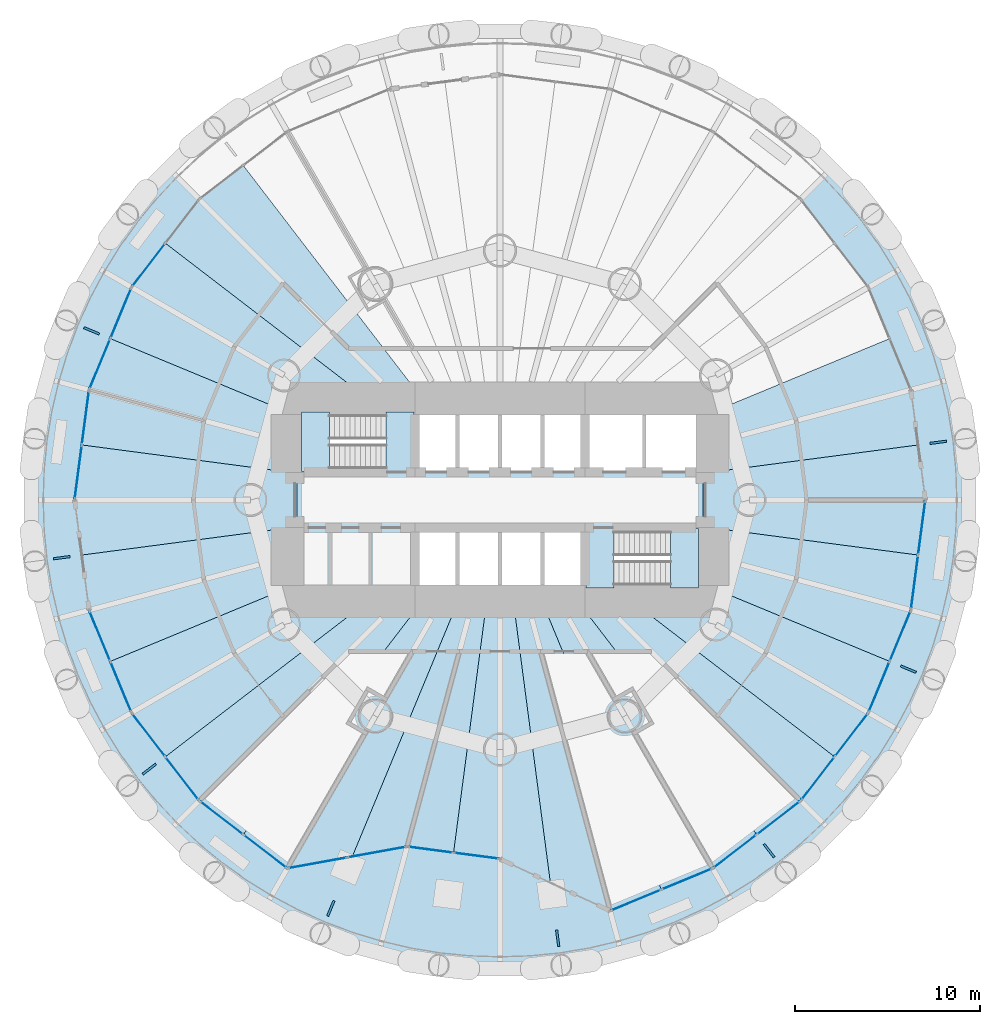
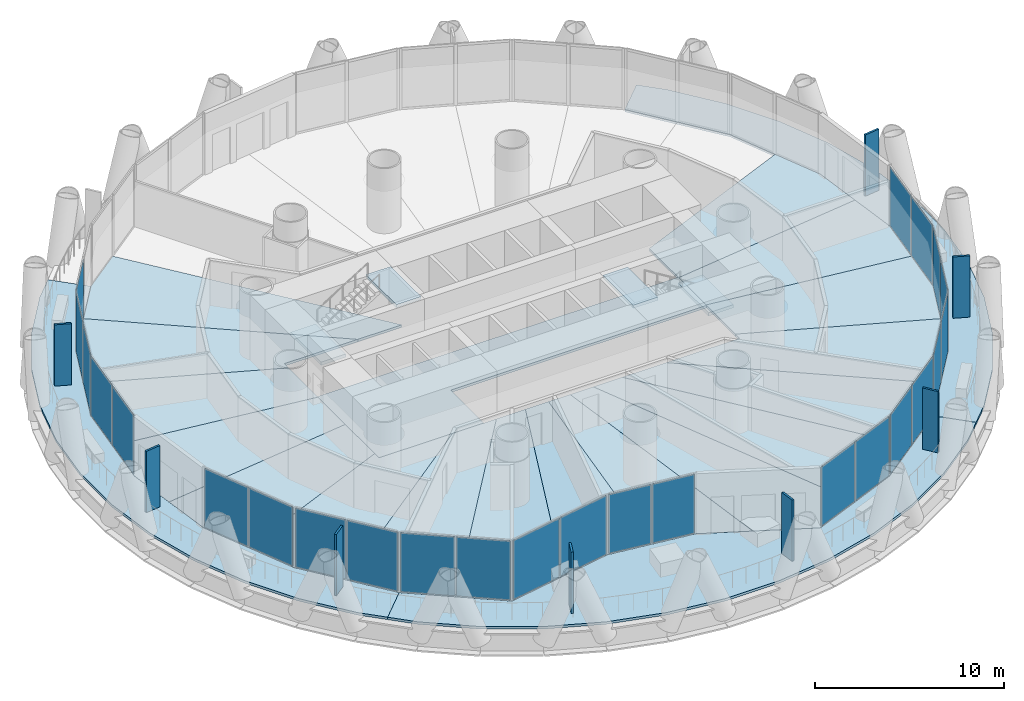
# One storey, part 8 of 15: 33 plates, 25 slabs, 15 elements without a shape of their own.
"""IFC4 building model written with IfcOpenShell, lengths in metres."""

from ifc_helpers import new_model, si_unit, direction, frame, origin, origin_2d, place, context, subcontext, project, spatial, polyline, rectangle, outline, extrude, material, layer, layer_set, type_object, element, aggregate, save


model = new_model("IFC4")

# Units and contexts
model_context = context("Model", 3, precision=1e-05, world=origin(), true_north=direction((0.0, 1.0)))
body_context = subcontext(model_context, "Body", "Model", "MODEL_VIEW")
ifc_project = project(units=[si_unit("LENGTHUNIT", "METRE"), si_unit("AREAUNIT", "SQUARE_METRE"), si_unit("VOLUMEUNIT", "CUBIC_METRE"), si_unit("PLANEANGLEUNIT", "RADIAN"), si_unit("MASSUNIT", "GRAM", prefix="KILO")], contexts=[model_context])

# Site, building, storey
site_placement = place(None, origin())
site = spatial("IfcSite", under=ifc_project, at=site_placement, CompositionType="ELEMENT")
building_placement = place(site_placement, origin())
building = spatial("IfcBuilding", under=site, at=building_placement, Name="Qaws Media Tower", CompositionType="ELEMENT")
storey_placement = place(building_placement, frame((0.0, 0.0, 97.39990234375)))
storey = spatial("IfcBuildingStorey", under=building, at=storey_placement, Name="L21", CompositionType="ELEMENT", Elevation=97.39990234375)

# Slabs
ifc_material_1 = material(Name="Concrete C35/45", Category="concrete")
ifc_layer_1 = layer(ifc_material_1, 0.159912109375)
ifc_layer_set_1 = layer_set([ifc_layer_1], Name="Composite balcony slab 160")
slab_type_1 = type_object("IfcSlabType", Name="Composite balcony slab 160", PredefinedType="FLOOR", material=ifc_layer_set_1)
slab_1_placement = place(storey_placement, frame((0.0, 0.0, -0.159912109375)))
element("IfcSlab", 1, at=slab_1_placement, inside=storey, type_object=slab_type_1, Name="S2 balcony slab L21 R10 to R16, movement joints on R10 and R16", PredefinedType="FLOOR", context=body_context, shape_type="SweptSolid", body=[
    extrude(outline(polyline([(40.884521484375, 33.236083984375), (38.85986328125, 35.87451171875), (37.197021484375, 38.7548828125), (35.92431640625, 41.827392578125), (35.0634765625, 45.039794921875), (34.62939453125, 48.337158203125), (34.62939453125, 51.662841796875), (35.0634765625, 54.960205078125), (35.92431640625, 58.172607421875), (37.197021484375, 61.2451171875), (38.85986328125, 64.12548828125), (40.884521484375, 66.763916015625), (42.060302734375, 67.939697265625), (43.718994140625, 66.281005859375), (40.059814453125, 61.512451171875), (37.759521484375, 55.959228515625), (36.97509765625, 50.0), (37.759521484375, 44.040771484375), (40.059814453125, 38.487548828125), (43.718994140625, 33.718994140625), (42.060302734375, 32.060302734375), (40.884521484375, 33.236083984375)])), origin(), (0.0, 0.0, 1.0), 0.159912109375),
])
slab_2_placement = place(storey_placement, frame((0.0, 0.0, -0.159912109375)))
element("IfcSlab", 2, at=slab_2_placement, inside=storey, type_object=slab_type_1, Name="S2 balcony slab L21 R16 to R22, movement joints on R16 and R22", PredefinedType="FLOOR", context=body_context, shape_type="SweptSolid", body=[
    extrude(outline(polyline([(76.763916015625, 30.884521484375), (74.12548828125, 28.85986328125), (71.2451171875, 27.197021484375), (68.172607421875, 25.92431640625), (64.960205078125, 25.0634765625), (61.662841796875, 24.62939453125), (58.337158203125, 24.62939453125), (55.039794921875, 25.0634765625), (51.827392578125, 25.92431640625), (48.7548828125, 27.197021484375), (45.87451171875, 28.85986328125), (43.236083984375, 30.884521484375), (42.060302734375, 32.060302734375), (43.718994140625, 33.718994140625), (48.487548828125, 30.059814453125), (54.972412109375, 31.23681640625), (60.0, 30.574951171875), (65.959228515625, 27.759521484375), (71.512451171875, 30.059814453125), (76.281005859375, 33.718994140625), (77.939697265625, 32.060302734375), (76.763916015625, 30.884521484375)])), origin(), (0.0, 0.0, 1.0), 0.159912109375),
])
slab_3_placement = place(storey_placement, frame((0.0, 0.0, -0.159912109375)))
element("IfcSlab", 3, at=slab_3_placement, inside=storey, type_object=slab_type_1, Name="S2 balcony slab L21 R22 to R04, movement joints on R22 and R04", PredefinedType="FLOOR", context=body_context, shape_type="SweptSolid", body=[
    extrude(outline(polyline([(84.9365234375, 45.039794921875), (84.07568359375, 41.827392578125), (82.802978515625, 38.7548828125), (81.14013671875, 35.87451171875), (79.115478515625, 33.236083984375), (77.939697265625, 32.060302734375), (76.281005859375, 33.718994140625), (79.940185546875, 38.487548828125), (82.240478515625, 44.040771484375), (83.02490234375, 50.0), (82.240478515625, 55.959228515625), (79.940185546875, 61.512451171875), (76.281005859375, 66.281005859375), (77.939697265625, 67.939697265625), (79.115478515625, 66.763916015625), (81.14013671875, 64.12548828125), (82.802978515625, 61.2451171875), (84.07568359375, 58.172607421875), (84.9365234375, 54.960205078125), (85.37060546875, 51.662841796875), (85.37060546875, 48.337158203125), (84.9365234375, 45.039794921875)])), origin(), (0.0, 0.0, 1.0), 0.159912109375),
])
ifc_material_2 = material(Name="Concrete C35/45", Category="concrete")
ifc_layer_2 = layer(ifc_material_2, 0.159912109375)
ifc_layer_set_2 = layer_set([ifc_layer_2], Name="Composite floor slab 160")
slab_type_2 = type_object("IfcSlabType", Name="Composite floor slab 160", PredefinedType="FLOOR", material=ifc_layer_set_2)
slab_4_placement = place(storey_placement, frame((0.0, 0.0, -0.159912109375)))
element("IfcSlab", 4, at=slab_4_placement, inside=storey, type_object=slab_type_2, Name="S1 core floor slab L21", PredefinedType="FLOOR", context=body_context, shape_type="SweptSolid", body=[
    extrude(outline(polyline([(71.0, 51.5), (71.0, 48.5), (55.39990234375, 48.5), (55.39990234375, 45.0), (49.0, 45.0), (49.0, 51.5), (71.0, 51.5)])), origin(), (0.0, 0.0, 1.0), 0.159912109375),
])
slab_5_placement = place(storey_placement, frame((0.0, 0.0, -0.159912109375)))
element("IfcSlab", 5, at=slab_5_placement, inside=storey, type_object=slab_type_2, Name="S1 floor panel L21 on R01", PredefinedType="FLOOR", context=body_context, shape_type="SweptSolid", body=[
    extrude(outline(polyline([(83.02490234375, 50.0), (82.6328125, 47.020263671875), (71.0, 48.5517578125), (71.0, 51.4482421875), (82.6328125, 52.979736328125), (83.02490234375, 50.0)])), origin(), (0.0, 0.0, 1.0), 0.159912109375),
])
slab_6_placement = place(storey_placement, frame((0.0, 0.0, -0.159912109375)))
element("IfcSlab", 6, at=slab_6_placement, inside=storey, type_object=slab_type_2, Name="S1 floor panel L21 on R02", PredefinedType="FLOOR", context=body_context, shape_type="SweptSolid", body=[
    extrude(outline(polyline([(82.240478515625, 55.959228515625), (82.6328125, 52.979736328125), (71.0, 51.4482421875), (71.0, 54.556396484375), (81.09033203125, 58.73583984375), (82.240478515625, 55.959228515625)])), origin(), (0.0, 0.0, 1.0), 0.159912109375),
])
slab_7_placement = place(storey_placement, frame((0.0, 0.0, -0.159912109375)))
element("IfcSlab", 7, at=slab_7_placement, inside=storey, type_object=slab_type_2, Name="S1 floor panel L21 on R10", PredefinedType="FLOOR", context=body_context, shape_type="SweptSolid", body=[
    extrude(outline(polyline([(43.718994140625, 66.281005859375), (46.103271484375, 68.110595703125), (56.163330078125, 55.0), (53.48388671875, 55.0), (41.889404296875, 63.896728515625), (43.718994140625, 66.281005859375)])), origin(), (0.0, 0.0, 1.0), 0.159912109375),
])
slab_8_placement = place(storey_placement, frame((0.0, 0.0, -0.159912109375)))
element("IfcSlab", 8, at=slab_8_placement, inside=storey, type_object=slab_type_2, Name="S1 floor panel L21 on R11", PredefinedType="FLOOR", context=body_context, shape_type="SweptSolid", body=[
    extrude(outline(polyline([(40.059814453125, 61.512451171875), (41.889404296875, 63.896728515625), (53.48388671875, 55.0), (49.0, 55.0), (49.0, 54.556396484375), (38.90966796875, 58.73583984375), (40.059814453125, 61.512451171875)])), origin(), (0.0, 0.0, 1.0), 0.159912109375),
])
slab_9_placement = place(storey_placement, frame((0.0, 0.0, -0.159912109375)))
element("IfcSlab", 9, at=slab_9_placement, inside=storey, type_object=slab_type_2, Name="S1 floor panel L21 on R12", PredefinedType="FLOOR", context=body_context, shape_type="SweptSolid", body=[
    extrude(outline(polyline([(37.759521484375, 55.959228515625), (38.90966796875, 58.73583984375), (49.0, 54.556396484375), (49.0, 51.4482421875), (37.3671875, 52.979736328125), (37.759521484375, 55.959228515625)])), origin(), (0.0, 0.0, 1.0), 0.159912109375),
])
slab_10_placement = place(storey_placement, frame((0.0, 0.0, -0.159912109375)))
element("IfcSlab", 10, at=slab_10_placement, inside=storey, type_object=slab_type_2, Name="S1 floor panel L21 on R13", PredefinedType="FLOOR", context=body_context, shape_type="SweptSolid", body=[
    extrude(outline(polyline([(36.97509765625, 50.0), (37.3671875, 52.979736328125), (49.0, 51.4482421875), (49.0, 48.5517578125), (37.3671875, 47.020263671875), (36.97509765625, 50.0)])), origin(), (0.0, 0.0, 1.0), 0.159912109375),
])
slab_11_placement = place(storey_placement, frame((0.0, 0.0, -0.159912109375)))
element("IfcSlab", 11, at=slab_11_placement, inside=storey, type_object=slab_type_2, Name="S1 floor panel L21 on R14", PredefinedType="FLOOR", context=body_context, shape_type="SweptSolid", body=[
    extrude(outline(polyline([(37.759521484375, 44.040771484375), (37.3671875, 47.020263671875), (49.0, 48.5517578125), (49.0, 45.443603515625), (38.90966796875, 41.26416015625), (37.759521484375, 44.040771484375)])), origin(), (0.0, 0.0, 1.0), 0.159912109375),
])
slab_12_placement = place(storey_placement, frame((0.0, 0.0, -0.159912109375)))
element("IfcSlab", 12, at=slab_12_placement, inside=storey, type_object=slab_type_2, Name="S1 floor panel L21 on R15", PredefinedType="FLOOR", context=body_context, shape_type="SweptSolid", body=[
    extrude(outline(polyline([(40.059814453125, 38.487548828125), (38.90966796875, 41.26416015625), (49.0, 45.443603515625), (49.0, 45.0), (53.48388671875, 45.0), (41.889404296875, 36.103271484375), (40.059814453125, 38.487548828125)])), origin(), (0.0, 0.0, 1.0), 0.159912109375),
])
slab_13_placement = place(storey_placement, frame((0.0, 0.0, -0.159912109375)))
element("IfcSlab", 13, at=slab_13_placement, inside=storey, type_object=slab_type_2, Name="S1 floor panel L21 on R16", PredefinedType="FLOOR", context=body_context, shape_type="SweptSolid", body=[
    extrude(outline(polyline([(43.718994140625, 33.718994140625), (41.889404296875, 36.103271484375), (53.48388671875, 45.0), (56.163330078125, 45.0), (46.103271484375, 31.889404296875), (43.718994140625, 33.718994140625)])), origin(), (0.0, 0.0, 1.0), 0.159912109375),
])
slab_14_placement = place(storey_placement, frame((0.0, 0.0, -0.159912109375)))
element("IfcSlab", 14, at=slab_14_placement, inside=storey, type_object=slab_type_2, Name="S1 floor panel L21 on R17", PredefinedType="FLOOR", context=body_context, shape_type="SweptSolid", body=[
    extrude(outline(polyline([(48.487548828125, 30.059814453125), (46.103271484375, 31.889404296875), (56.163330078125, 45.0), (57.928955078125, 45.0), (52.0048828125, 30.6982421875), (48.487548828125, 30.059814453125)])), origin(), (0.0, 0.0, 1.0), 0.159912109375),
])
slab_15_placement = place(storey_placement, frame((0.0, 0.0, -0.159912109375)))
element("IfcSlab", 15, at=slab_15_placement, inside=storey, type_object=slab_type_2, Name="S1 floor panel L21 on R18", PredefinedType="FLOOR", context=body_context, shape_type="SweptSolid", body=[
    extrude(outline(polyline([(54.972412109375, 31.23681640625), (52.0048828125, 30.6982421875), (57.928955078125, 45.0), (59.341796875, 45.0), (57.486083984375, 30.906005859375), (54.972412109375, 31.23681640625)])), origin(), (0.0, 0.0, 1.0), 0.159912109375),
])
slab_16_placement = place(storey_placement, frame((0.0, 0.0, -0.159912109375)))
element("IfcSlab", 16, at=slab_16_placement, inside=storey, type_object=slab_type_2, Name="S1 floor panel L21 on R19", PredefinedType="FLOOR", context=body_context, shape_type="SweptSolid", body=[
    extrude(outline(polyline([(60.0, 30.574951171875), (57.486083984375, 30.906005859375), (59.341796875, 45.0), (60.658203125, 45.0), (62.72705078125, 29.28662109375), (60.0, 30.574951171875)])), origin(), (0.0, 0.0, 1.0), 0.159912109375),
])
slab_17_placement = place(storey_placement, frame((0.0, 0.0, -0.159912109375)))
element("IfcSlab", 17, at=slab_17_placement, inside=storey, type_object=slab_type_2, Name="S1 floor panel L21 on R20", PredefinedType="FLOOR", context=body_context, shape_type="SweptSolid", body=[
    extrude(outline(polyline([(65.959228515625, 27.759521484375), (62.72705078125, 29.28662109375), (60.658203125, 45.0), (62.071044921875, 45.0), (68.73583984375, 28.90966796875), (65.959228515625, 27.759521484375)])), origin(), (0.0, 0.0, 1.0), 0.159912109375),
])
slab_18_placement = place(storey_placement, frame((0.0, 0.0, -0.159912109375)))
element("IfcSlab", 18, at=slab_18_placement, inside=storey, type_object=slab_type_2, Name="S1 floor panel L21 on R21", PredefinedType="FLOOR", context=body_context, shape_type="SweptSolid", body=[
    extrude(outline(polyline([(71.512451171875, 30.059814453125), (68.73583984375, 28.90966796875), (62.071044921875, 45.0), (63.836669921875, 45.0), (73.896728515625, 31.889404296875), (71.512451171875, 30.059814453125)])), origin(), (0.0, 0.0, 1.0), 0.159912109375),
])
slab_19_placement = place(storey_placement, frame((0.0, 0.0, -0.159912109375)))
element("IfcSlab", 19, at=slab_19_placement, inside=storey, type_object=slab_type_2, Name="S1 floor panel L21 on R22", PredefinedType="FLOOR", context=body_context, shape_type="SweptSolid", body=[
    extrude(outline(polyline([(76.281005859375, 33.718994140625), (73.896728515625, 31.889404296875), (63.836669921875, 45.0), (66.51611328125, 45.0), (78.110595703125, 36.103271484375), (76.281005859375, 33.718994140625)])), origin(), (0.0, 0.0, 1.0), 0.159912109375),
])
slab_20_placement = place(storey_placement, frame((0.0, 0.0, -0.159912109375)))
element("IfcSlab", 20, at=slab_20_placement, inside=storey, type_object=slab_type_2, Name="S1 floor panel L21 on R23", PredefinedType="FLOOR", context=body_context, shape_type="SweptSolid", body=[
    extrude(outline(polyline([(79.940185546875, 38.487548828125), (78.110595703125, 36.103271484375), (66.51611328125, 45.0), (71.0, 45.0), (71.0, 45.443603515625), (81.09033203125, 41.26416015625), (79.940185546875, 38.487548828125)])), origin(), (0.0, 0.0, 1.0), 0.159912109375),
])
slab_21_placement = place(storey_placement, frame((0.0, 0.0, -0.159912109375)))
element("IfcSlab", 21, at=slab_21_placement, inside=storey, type_object=slab_type_2, Name="S1 floor panel L21 on R24", PredefinedType="FLOOR", context=body_context, shape_type="SweptSolid", body=[
    extrude(outline(polyline([(81.09033203125, 41.26416015625), (71.0, 45.443603515625), (71.0, 48.5517578125), (82.6328125, 47.020263671875), (82.240478515625, 44.040771484375), (81.09033203125, 41.26416015625)])), origin(), (0.0, 0.0, 1.0), 0.159912109375),
])

# Curtain wall, plate
ifc_material_3 = material(Name="Aluminium and clear glass", Category="aluminium")
curtain_wall_type_1 = type_object("IfcCurtainWallType", Name="Unitised curtain wall CW-A", PredefinedType="NOTDEFINED", material=ifc_material_3)
curtain_wall_1_placement = place(storey_placement, origin())
curtain_wall_1 = element("IfcCurtainWall", 22, at=curtain_wall_1_placement, inside=storey, type_object=curtain_wall_type_1, Name="CWA curtain wall L21-10", PredefinedType="NOTDEFINED")
ifc_material_4 = material(Name="Clear laminated double glazing", Category="glass")
ifc_layer_3 = layer(ifc_material_4, 0.031982421875)
ifc_layer_set_3 = layer_set([ifc_layer_3], Name="Curtain wall glass unit 32")
plate_type_1 = type_object("IfcPlateType", Name="Curtain wall glass unit 32", PredefinedType="CURTAIN_PANEL", material=ifc_layer_set_3)
plate_1_placement = place(storey_placement, frame((40.98681640625, 62.720458984375, 0.080078125), z_axis=(0.0, 0.0, 1.0), x_axis=(-0.608761369953, -0.793353385606, 0.0)))
plate_1 = element("IfcPlate", 23, at=plate_1_placement, type_object=plate_type_1, Name="CWA panel 2.1", PredefinedType="CURTAIN_PANEL", context=body_context, shape_type="SweptSolid", body=[
    extrude(rectangle(XDim=2.88525390625, YDim=0.031982421875, at=origin_2d()), origin(), (0.0, 0.0, 1.0), 3.7900390625),
])
aggregate(curtain_wall_1, [plate_1])

# Curtain wall, plates
curtain_wall_2_placement = place(storey_placement, origin())
curtain_wall_2 = element("IfcCurtainWall", 24, at=curtain_wall_2_placement, inside=storey, type_object=curtain_wall_type_1, Name="CWA curtain wall L21-11", PredefinedType="NOTDEFINED")
plate_2_placement = place(storey_placement, frame((39.47705078125, 60.105712890625, 0.080078125), z_axis=(0.0, 0.0, 1.0), x_axis=(-0.382683428576, -0.923879534081, 0.0)))
plate_2 = element("IfcPlate", 25, at=plate_2_placement, type_object=plate_type_1, Name="CWA panel 1.1", PredefinedType="CURTAIN_PANEL", context=body_context, shape_type="SweptSolid", body=[
    extrude(rectangle(XDim=2.88525390625, YDim=0.031982421875, at=origin_2d()), origin(), (0.0, 0.0, 1.0), 3.7900390625),
])
plate_3_placement = place(storey_placement, frame((38.34228515625, 57.365966796875, 0.080078125), z_axis=(0.0, 0.0, 1.0), x_axis=(-0.382683428576, -0.923879534081, 0.0)))
plate_3 = element("IfcPlate", 26, at=plate_3_placement, type_object=plate_type_1, Name="CWA panel 2.1", PredefinedType="CURTAIN_PANEL", context=body_context, shape_type="SweptSolid", body=[
    extrude(rectangle(XDim=2.88525390625, YDim=0.031982421875, at=origin_2d()), origin(), (0.0, 0.0, 1.0), 3.7900390625),
])
aggregate(curtain_wall_2, [plate_2, plate_3])

curtain_wall_3_placement = place(storey_placement, origin())
curtain_wall_3 = element("IfcCurtainWall", 27, at=curtain_wall_3_placement, inside=storey, type_object=curtain_wall_type_1, Name="CWA curtain wall L21-12", PredefinedType="NOTDEFINED")
plate_4_placement = place(storey_placement, frame((37.560791015625, 54.44970703125, 0.080078125), z_axis=(0.0, 0.0, 1.0), x_axis=(-0.130526206323, -0.991444859517, 0.0)))
plate_4 = element("IfcPlate", 28, at=plate_4_placement, type_object=plate_type_1, Name="CWA panel 1.1", PredefinedType="CURTAIN_PANEL", context=body_context, shape_type="SweptSolid", body=[
    extrude(rectangle(XDim=2.88525390625, YDim=0.031982421875, at=origin_2d()), origin(), (0.0, 0.0, 1.0), 3.7900390625),
])
plate_5_placement = place(storey_placement, frame((37.173828125, 51.509765625, 0.080078125), z_axis=(0.0, 0.0, 1.0), x_axis=(-0.130526206323, -0.991444859517, 0.0)))
plate_5 = element("IfcPlate", 29, at=plate_5_placement, type_object=plate_type_1, Name="CWA panel 2.1", PredefinedType="CURTAIN_PANEL", context=body_context, shape_type="SweptSolid", body=[
    extrude(rectangle(XDim=2.88525390625, YDim=0.031982421875, at=origin_2d()), origin(), (0.0, 0.0, 1.0), 3.7900390625),
])
aggregate(curtain_wall_3, [plate_4, plate_5])

curtain_wall_4_placement = place(storey_placement, origin())
curtain_wall_4 = element("IfcCurtainWall", 30, at=curtain_wall_4_placement, inside=storey, type_object=curtain_wall_type_1, Name="CWA curtain wall L21-14", PredefinedType="NOTDEFINED")
plate_6_placement = place(storey_placement, frame((38.34228515625, 42.634033203125, 0.080078125), z_axis=(0.0, 0.0, 1.0), x_axis=(0.382683428576, -0.923879534081, 0.0)))
plate_6 = element("IfcPlate", 31, at=plate_6_placement, type_object=plate_type_1, Name="CWA panel 1.1", PredefinedType="CURTAIN_PANEL", context=body_context, shape_type="SweptSolid", body=[
    extrude(rectangle(XDim=2.88525390625, YDim=0.031982421875, at=origin_2d()), origin(), (0.0, 0.0, 1.0), 3.7900390625),
])
plate_7_placement = place(storey_placement, frame((39.47705078125, 39.894287109375, 0.080078125), z_axis=(0.0, 0.0, 1.0), x_axis=(0.382683428576, -0.923879534081, 0.0)))
plate_7 = element("IfcPlate", 32, at=plate_7_placement, type_object=plate_type_1, Name="CWA panel 2.1", PredefinedType="CURTAIN_PANEL", context=body_context, shape_type="SweptSolid", body=[
    extrude(rectangle(XDim=2.88525390625, YDim=0.031982421875, at=origin_2d()), origin(), (0.0, 0.0, 1.0), 3.7900390625),
])
aggregate(curtain_wall_4, [plate_6, plate_7])

curtain_wall_5_placement = place(storey_placement, origin())
curtain_wall_5 = element("IfcCurtainWall", 33, at=curtain_wall_5_placement, inside=storey, type_object=curtain_wall_type_1, Name="CWA curtain wall L21-15", PredefinedType="NOTDEFINED")
plate_8_placement = place(storey_placement, frame((40.98681640625, 37.279541015625, 0.080078125), z_axis=(0.0, 0.0, 1.0), x_axis=(0.608761369953, -0.793353385606, 0.0)))
plate_8 = element("IfcPlate", 34, at=plate_8_placement, type_object=plate_type_1, Name="CWA panel 1.1", PredefinedType="CURTAIN_PANEL", context=body_context, shape_type="SweptSolid", body=[
    extrude(rectangle(XDim=2.88525390625, YDim=0.031982421875, at=origin_2d()), origin(), (0.0, 0.0, 1.0), 3.7900390625),
])
plate_9_placement = place(storey_placement, frame((42.7919921875, 34.927001953125, 0.080078125), z_axis=(0.0, 0.0, 1.0), x_axis=(0.608761369953, -0.793353385606, 0.0)))
plate_9 = element("IfcPlate", 35, at=plate_9_placement, type_object=plate_type_1, Name="CWA panel 2.1", PredefinedType="CURTAIN_PANEL", context=body_context, shape_type="SweptSolid", body=[
    extrude(rectangle(XDim=2.88525390625, YDim=0.031982421875, at=origin_2d()), origin(), (0.0, 0.0, 1.0), 3.7900390625),
])
aggregate(curtain_wall_5, [plate_8, plate_9])

curtain_wall_6_placement = place(storey_placement, origin())
curtain_wall_6 = element("IfcCurtainWall", 36, at=curtain_wall_6_placement, inside=storey, type_object=curtain_wall_type_1, Name="CWA curtain wall L21-16", PredefinedType="NOTDEFINED")
plate_10_placement = place(storey_placement, frame((44.927001953125, 32.7919921875, 0.080078125), z_axis=(0.0, 0.0, 1.0), x_axis=(0.793353385606, -0.608761369953, 0.0)))
plate_10 = element("IfcPlate", 37, at=plate_10_placement, type_object=plate_type_1, Name="CWA panel 1.1", PredefinedType="CURTAIN_PANEL", context=body_context, shape_type="SweptSolid", body=[
    extrude(rectangle(XDim=2.88525390625, YDim=0.031982421875, at=origin_2d()), origin(), (0.0, 0.0, 1.0), 3.7900390625),
])
plate_11_placement = place(storey_placement, frame((47.279541015625, 30.98681640625, 0.080078125), z_axis=(0.0, 0.0, 1.0), x_axis=(0.793353385606, -0.608761369953, 0.0)))
plate_11 = element("IfcPlate", 38, at=plate_11_placement, type_object=plate_type_1, Name="CWA panel 2.1", PredefinedType="CURTAIN_PANEL", context=body_context, shape_type="SweptSolid", body=[
    extrude(rectangle(XDim=2.88525390625, YDim=0.031982421875, at=origin_2d()), origin(), (0.0, 0.0, 1.0), 3.7900390625),
])
aggregate(curtain_wall_6, [plate_10, plate_11])

ifc_material_5 = material(Name="Aluminium and clear glass", Category="aluminium")
curtain_wall_type_2 = type_object("IfcCurtainWallType", Name="Loggia curtain wall CW-G", PredefinedType="NOTDEFINED", material=ifc_material_5)
curtain_wall_7_placement = place(storey_placement, origin())
curtain_wall_7 = element("IfcCurtainWall", 39, at=curtain_wall_7_placement, inside=storey, type_object=curtain_wall_type_2, Name="CWG curtain wall L21-17", PredefinedType="NOTDEFINED")
plate_12_placement = place(storey_placement, frame((50.12841796875, 30.357666015625, 0.080078125), z_axis=(0.0, 0.0, 1.0), x_axis=(0.983922046788, 0.178598448605, 0.0)))
plate_12 = element("IfcPlate", 40, at=plate_12_placement, type_object=plate_type_1, Name="CWG panel 1.1", PredefinedType="CURTAIN_PANEL", context=body_context, shape_type="SweptSolid", body=[
    extrude(rectangle(XDim=3.175537109375, YDim=0.031982421875, at=origin_2d()), origin(), (0.0, 0.0, 1.0), 3.7900390625),
])
plate_13_placement = place(storey_placement, frame((53.33154296875, 30.93896484375, 0.080078125), z_axis=(0.0, 0.0, 1.0), x_axis=(0.983922046788, 0.178598448605, 0.0)))
plate_13 = element("IfcPlate", 41, at=plate_13_placement, type_object=plate_type_1, Name="CWG panel 2.1", PredefinedType="CURTAIN_PANEL", context=body_context, shape_type="SweptSolid", body=[
    extrude(rectangle(XDim=3.175537109375, YDim=0.031982421875, at=origin_2d()), origin(), (0.0, 0.0, 1.0), 3.7900390625),
])
aggregate(curtain_wall_7, [plate_12, plate_13])

curtain_wall_8_placement = place(storey_placement, origin())
curtain_wall_8 = element("IfcCurtainWall", 42, at=curtain_wall_8_placement, inside=storey, type_object=curtain_wall_type_2, Name="CWG curtain wall L21-18", PredefinedType="NOTDEFINED")
plate_14_placement = place(storey_placement, frame((56.249267578125, 31.06884765625, 0.080078125), z_axis=(0.0, 0.0, 1.0), x_axis=(0.991444857055, -0.130526225028, 0.0)))
plate_14 = element("IfcPlate", 43, at=plate_14_placement, type_object=plate_type_1, Name="CWG panel 1.1", PredefinedType="CURTAIN_PANEL", context=body_context, shape_type="SweptSolid", body=[
    extrude(rectangle(XDim=2.41552734375, YDim=0.031982421875, at=origin_2d()), origin(), (0.0, 0.0, 1.0), 3.7900390625),
])
plate_15_placement = place(storey_placement, frame((58.723388671875, 30.7431640625, 0.080078125), z_axis=(0.0, 0.0, 1.0), x_axis=(0.991444857055, -0.130526225028, 0.0)))
plate_15 = element("IfcPlate", 44, at=plate_15_placement, type_object=plate_type_1, Name="CWG panel 2.1", PredefinedType="CURTAIN_PANEL", context=body_context, shape_type="SweptSolid", body=[
    extrude(rectangle(XDim=2.41552734375, YDim=0.031982421875, at=origin_2d()), origin(), (0.0, 0.0, 1.0), 3.7900390625),
])
aggregate(curtain_wall_8, [plate_14, plate_15])

curtain_wall_9_placement = place(storey_placement, origin())
curtain_wall_9 = element("IfcCurtainWall", 45, at=curtain_wall_9_placement, inside=storey, type_object=curtain_wall_type_1, Name="CWA curtain wall L21-20", PredefinedType="NOTDEFINED")
plate_16_placement = place(storey_placement, frame((67.365966796875, 28.34228515625, 0.080078125), z_axis=(0.0, 0.0, 1.0), x_axis=(0.923879534081, 0.382683428576, 0.0)))
plate_16 = element("IfcPlate", 46, at=plate_16_placement, type_object=plate_type_1, Name="CWA panel 1.1", PredefinedType="CURTAIN_PANEL", context=body_context, shape_type="SweptSolid", body=[
    extrude(rectangle(XDim=2.88525390625, YDim=0.031982421875, at=origin_2d()), origin(), (0.0, 0.0, 1.0), 3.7900390625),
])
plate_17_placement = place(storey_placement, frame((70.105712890625, 29.47705078125, 0.080078125), z_axis=(0.0, 0.0, 1.0), x_axis=(0.923879534081, 0.382683428576, 0.0)))
plate_17 = element("IfcPlate", 47, at=plate_17_placement, type_object=plate_type_1, Name="CWA panel 2.1", PredefinedType="CURTAIN_PANEL", context=body_context, shape_type="SweptSolid", body=[
    extrude(rectangle(XDim=2.88525390625, YDim=0.031982421875, at=origin_2d()), origin(), (0.0, 0.0, 1.0), 3.7900390625),
])
aggregate(curtain_wall_9, [plate_16, plate_17])

curtain_wall_10_placement = place(storey_placement, origin())
curtain_wall_10 = element("IfcCurtainWall", 48, at=curtain_wall_10_placement, inside=storey, type_object=curtain_wall_type_1, Name="CWA curtain wall L21-21", PredefinedType="NOTDEFINED")
plate_18_placement = place(storey_placement, frame((72.720458984375, 30.98681640625, 0.080078125), z_axis=(0.0, 0.0, 1.0), x_axis=(0.793353385606, 0.608761369953, 0.0)))
plate_18 = element("IfcPlate", 49, at=plate_18_placement, type_object=plate_type_1, Name="CWA panel 1.1", PredefinedType="CURTAIN_PANEL", context=body_context, shape_type="SweptSolid", body=[
    extrude(rectangle(XDim=2.88525390625, YDim=0.031982421875, at=origin_2d()), origin(), (0.0, 0.0, 1.0), 3.7900390625),
])
plate_19_placement = place(storey_placement, frame((75.072998046875, 32.7919921875, 0.080078125), z_axis=(0.0, 0.0, 1.0), x_axis=(0.793353385606, 0.608761369953, 0.0)))
plate_19 = element("IfcPlate", 50, at=plate_19_placement, type_object=plate_type_1, Name="CWA panel 2.1", PredefinedType="CURTAIN_PANEL", context=body_context, shape_type="SweptSolid", body=[
    extrude(rectangle(XDim=2.88525390625, YDim=0.031982421875, at=origin_2d()), origin(), (0.0, 0.0, 1.0), 3.7900390625),
])
aggregate(curtain_wall_10, [plate_18, plate_19])

curtain_wall_11_placement = place(storey_placement, origin())
curtain_wall_11 = element("IfcCurtainWall", 51, at=curtain_wall_11_placement, inside=storey, type_object=curtain_wall_type_1, Name="CWA curtain wall L21-22", PredefinedType="NOTDEFINED")
plate_20_placement = place(storey_placement, frame((77.2080078125, 34.927001953125, 0.080078125), z_axis=(0.0, 0.0, 1.0), x_axis=(0.608761369953, 0.793353385606, 0.0)))
plate_20 = element("IfcPlate", 52, at=plate_20_placement, type_object=plate_type_1, Name="CWA panel 1.1", PredefinedType="CURTAIN_PANEL", context=body_context, shape_type="SweptSolid", body=[
    extrude(rectangle(XDim=2.88525390625, YDim=0.031982421875, at=origin_2d()), origin(), (0.0, 0.0, 1.0), 3.7900390625),
])
plate_21_placement = place(storey_placement, frame((79.01318359375, 37.279541015625, 0.080078125), z_axis=(0.0, 0.0, 1.0), x_axis=(0.608761369953, 0.793353385606, 0.0)))
plate_21 = element("IfcPlate", 53, at=plate_21_placement, type_object=plate_type_1, Name="CWA panel 2.1", PredefinedType="CURTAIN_PANEL", context=body_context, shape_type="SweptSolid", body=[
    extrude(rectangle(XDim=2.88525390625, YDim=0.031982421875, at=origin_2d()), origin(), (0.0, 0.0, 1.0), 3.7900390625),
])
aggregate(curtain_wall_11, [plate_20, plate_21])

curtain_wall_12_placement = place(storey_placement, origin())
curtain_wall_12 = element("IfcCurtainWall", 54, at=curtain_wall_12_placement, inside=storey, type_object=curtain_wall_type_1, Name="CWA curtain wall L21-23", PredefinedType="NOTDEFINED")
plate_22_placement = place(storey_placement, frame((80.52294921875, 39.894287109375, 0.080078125), z_axis=(0.0, 0.0, 1.0), x_axis=(0.382683428576, 0.923879534081, 0.0)))
plate_22 = element("IfcPlate", 55, at=plate_22_placement, type_object=plate_type_1, Name="CWA panel 1.1", PredefinedType="CURTAIN_PANEL", context=body_context, shape_type="SweptSolid", body=[
    extrude(rectangle(XDim=2.88525390625, YDim=0.031982421875, at=origin_2d()), origin(), (0.0, 0.0, 1.0), 3.7900390625),
])
plate_23_placement = place(storey_placement, frame((81.65771484375, 42.634033203125, 0.080078125), z_axis=(0.0, 0.0, 1.0), x_axis=(0.382683428576, 0.923879534081, 0.0)))
plate_23 = element("IfcPlate", 56, at=plate_23_placement, type_object=plate_type_1, Name="CWA panel 2.1", PredefinedType="CURTAIN_PANEL", context=body_context, shape_type="SweptSolid", body=[
    extrude(rectangle(XDim=2.88525390625, YDim=0.031982421875, at=origin_2d()), origin(), (0.0, 0.0, 1.0), 3.7900390625),
])
aggregate(curtain_wall_12, [plate_22, plate_23])

curtain_wall_13_placement = place(storey_placement, origin())
curtain_wall_13 = element("IfcCurtainWall", 57, at=curtain_wall_13_placement, inside=storey, type_object=curtain_wall_type_1, Name="CWA curtain wall L21-24", PredefinedType="NOTDEFINED")
plate_24_placement = place(storey_placement, frame((82.439208984375, 45.55029296875, 0.080078125), z_axis=(0.0, 0.0, 1.0), x_axis=(0.130526206323, 0.991444859517, 0.0)))
plate_24 = element("IfcPlate", 58, at=plate_24_placement, type_object=plate_type_1, Name="CWA panel 1.1", PredefinedType="CURTAIN_PANEL", context=body_context, shape_type="SweptSolid", body=[
    extrude(rectangle(XDim=2.88525390625, YDim=0.031982421875, at=origin_2d()), origin(), (0.0, 0.0, 1.0), 3.7900390625),
])
plate_25_placement = place(storey_placement, frame((82.826171875, 48.490234375, 0.080078125), z_axis=(0.0, 0.0, 1.0), x_axis=(0.130526206323, 0.991444859517, 0.0)))
plate_25 = element("IfcPlate", 59, at=plate_25_placement, type_object=plate_type_1, Name="CWA panel 2.1", PredefinedType="CURTAIN_PANEL", context=body_context, shape_type="SweptSolid", body=[
    extrude(rectangle(XDim=2.88525390625, YDim=0.031982421875, at=origin_2d()), origin(), (0.0, 0.0, 1.0), 3.7900390625),
])
aggregate(curtain_wall_13, [plate_24, plate_25])

# Plates
ifc_material_6 = material(Name="Precast concrete screen fin", Category="concrete")
ifc_layer_4 = layer(ifc_material_6, 0.1201171875)
ifc_layer_set_4 = layer_set([ifc_layer_4], Name="Screen fin 120x900")
plate_type_2 = type_object("IfcPlateType", Name="Screen fin 120x900", PredefinedType="USERDEFINED", material=ifc_layer_set_4)
for number, where, z_axis, x_axis, name in (
    (60, (83.72021484375, 53.122802734375, 0.0), (0.0, 0.0, 1.0), (0.991444861374, 0.13052619222, 0.0), "SCR1 screen fin L21-01"),
    (61, (37.896240234375, 59.15576171875, 0.0), (0.0, 0.0, 1.0), (-0.923879532511, 0.382683432365, 0.0), "SCR1 screen fin L21-06"),
    (62, (36.27978515625, 46.877197265625, 0.0), (0.0, 0.0, 1.0), (-0.991444861374, -0.13052619222, 0.0), "SCR1 screen fin L21-07"),
    (63, (41.01904296875, 35.435302734375, 0.0), (0.0, 0.0, 1.0), (-0.793353340291, -0.608761429009, 0.0), "SCR1 screen fin L21-08"),
    (64, (50.84423828125, 27.896240234375, 0.0), (0.0, 0.0, 1.0), (-0.382683432365, -0.923879532511, 0.0), "SCR1 screen fin L21-09"),
    (65, (63.122802734375, 26.27978515625, 0.0), (0.0, 0.0, 1.0), (0.13052619222, -0.991444861374, 0.0), "SCR1 screen fin L21-10"),
    (66, (74.564697265625, 31.01904296875, 0.0), (0.0, 0.0, 1.0), (0.608761429009, -0.793353340291, 0.0), "SCR1 screen fin L21-11"),
    (67, (82.103759765625, 40.84423828125, 0.0), (0.0, 0.0, 1.0), (0.923879532511, -0.382683432365, 0.0), "SCR1 screen fin L21-12"),
):
    element("IfcPlate", number, at=place(storey_placement, frame(where, z_axis=z_axis, x_axis=x_axis)), inside=storey, type_object=plate_type_2, Name=name, ObjectType="SCREEN", PredefinedType="USERDEFINED", context=body_context, shape_type="SweptSolid", body=[
        extrude(rectangle(XDim=0.89990234375, YDim=0.1201171875, at=origin_2d()), origin(), (0.0, 0.0, 1.0), 3.949951171875),
    ])

# Stair, slabs
ifc_material_7 = material(Name="Concrete C40/50", Category="concrete")
stair_type = type_object("IfcStairType", Name="Exit stair", PredefinedType="HALF_TURN_STAIR", material=ifc_material_7)
stair_1_placement = place(storey_placement, origin())
stair_1 = element("IfcStair", 68, at=stair_1_placement, inside=storey, type_object=stair_type, Name="S1 exit stair L21", PredefinedType="HALF_TURN_STAIR")
ifc_material_8 = material(Name="Concrete C40/50", Category="concrete")
ifc_layer_5 = layer(ifc_material_8, 0.199951171875)
ifc_layer_set_5 = layer_set([ifc_layer_5], Name="Stair landing 200")
slab_type_3 = type_object("IfcSlabType", Name="Stair landing 200", PredefinedType="LANDING", material=ifc_layer_set_5)
slab_22_placement = place(storey_placement, frame((0.0, 0.0, 1.900146484375)))
slab_22 = element("IfcSlab", 69, at=slab_22_placement, type_object=slab_type_3, Name="S1 landing 1", PredefinedType="LANDING", context=body_context, shape_type="SweptSolid", body=[
    extrude(outline(polyline([(49.25, 51.550048828125), (50.760009765625, 51.550048828125), (50.760009765625, 54.75), (49.25, 54.75), (49.25, 51.550048828125)])), origin(), (0.0, 0.0, 1.0), 0.199951171875),
])
slab_23_placement = place(storey_placement, frame((0.0, 0.0, 4.0)))
slab_23 = element("IfcSlab", 70, at=slab_23_placement, type_object=slab_type_3, Name="S1 landing 2", PredefinedType="LANDING", context=body_context, shape_type="SweptSolid", body=[
    extrude(outline(polyline([(53.840087890625, 51.550048828125), (55.35009765625, 51.550048828125), (55.35009765625, 54.75), (53.840087890625, 54.75), (53.840087890625, 51.550048828125)])), origin(), (0.0, 0.0, 1.0), 0.2001953125),
])
aggregate(stair_1, [slab_22, slab_23])

stair_2_placement = place(storey_placement, origin())
stair_2 = element("IfcStair", 71, at=stair_2_placement, inside=storey, type_object=stair_type, Name="S2 exit stair L21", PredefinedType="HALF_TURN_STAIR")
slab_24_placement = place(storey_placement, frame((0.0, 0.0, 1.900146484375)))
slab_24 = element("IfcSlab", 72, at=slab_24_placement, type_object=slab_type_3, Name="S2 landing 1", PredefinedType="LANDING", context=body_context, shape_type="SweptSolid", body=[
    extrude(outline(polyline([(69.239990234375, 45.25), (70.75, 45.25), (70.75, 48.449951171875), (69.239990234375, 48.449951171875), (69.239990234375, 45.25)])), origin(), (0.0, 0.0, 1.0), 0.199951171875),
])
slab_25_placement = place(storey_placement, frame((0.0, 0.0, 4.0)))
slab_25 = element("IfcSlab", 73, at=slab_25_placement, type_object=slab_type_3, Name="S2 landing 2", PredefinedType="LANDING", context=body_context, shape_type="SweptSolid", body=[
    extrude(outline(polyline([(64.64990234375, 45.25), (66.159912109375, 45.25), (66.159912109375, 48.449951171875), (64.64990234375, 48.449951171875), (64.64990234375, 45.25)])), origin(), (0.0, 0.0, 1.0), 0.2001953125),
])
aggregate(stair_2, [slab_24, slab_25])

save(model, "model.ifc")
